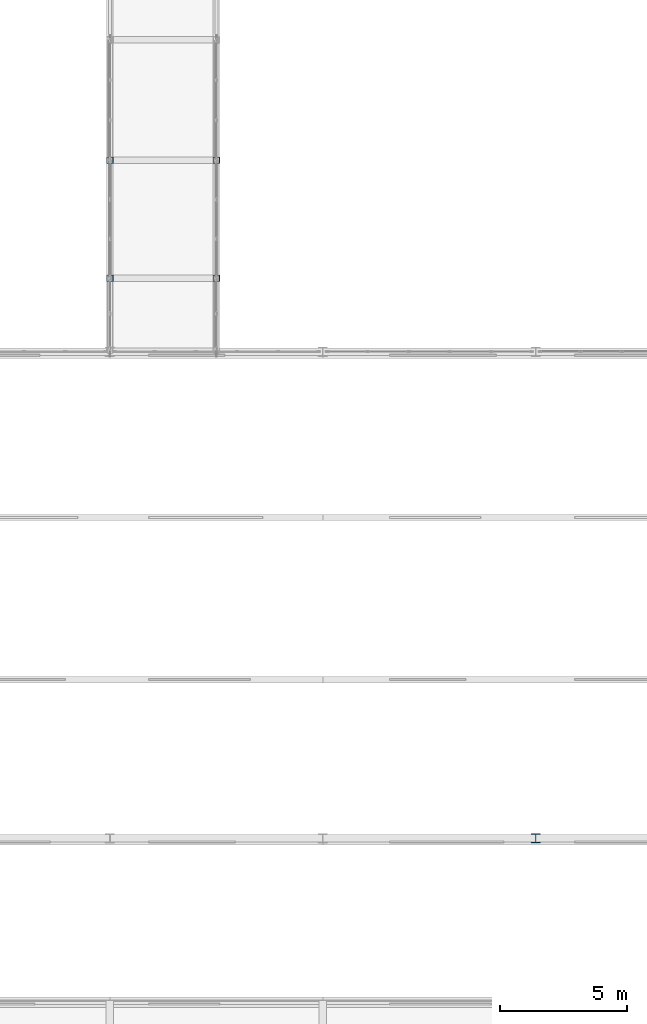
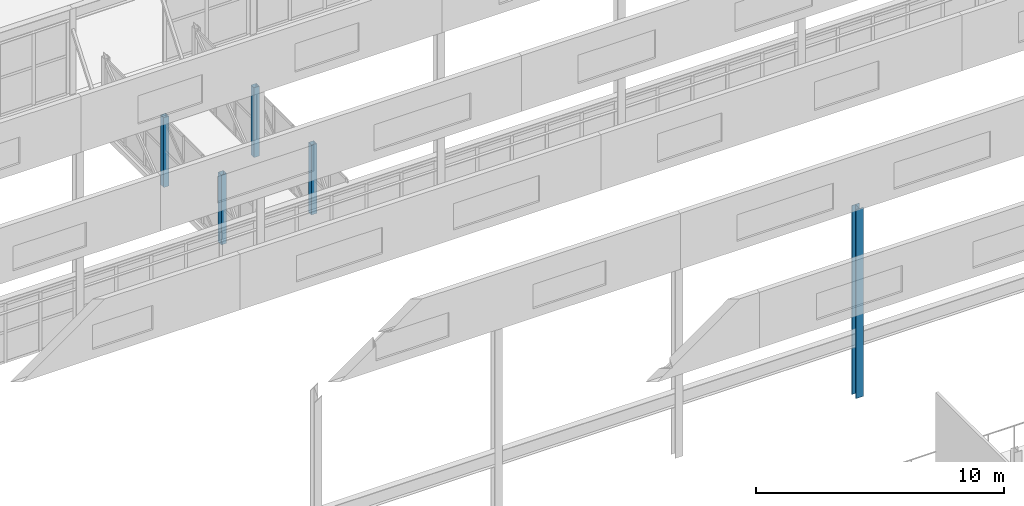
# One storey, part 9 of 218: 5 columns.
"""IFC4 building model written with IfcOpenShell, lengths in metres."""

from ifc_helpers import new_model, si_unit, direction, frame, origin, origin_2d, place, context, subcontext, project, spatial, hollow_rectangle, i_section, extrude, material, material_profile, profile_set, type_object, element, save


model = new_model("IFC4")

# Units and contexts
model_context = context("Model", 3, precision=1e-05, world=origin(), true_north=direction((0.0, 1.0)))
body_context = subcontext(model_context, "Body", "Model", "MODEL_VIEW")
ifc_project = project(units=[si_unit("LENGTHUNIT", "METRE"), si_unit("AREAUNIT", "SQUARE_METRE"), si_unit("VOLUMEUNIT", "CUBIC_METRE"), si_unit("PLANEANGLEUNIT", "RADIAN"), si_unit("MASSUNIT", "GRAM", prefix="KILO")], contexts=[model_context])

# Site, building, storey
site_placement = place(None, origin())
site = spatial("IfcSite", under=ifc_project, at=site_placement, CompositionType="ELEMENT")
building_placement = place(site_placement, origin())
building = spatial("IfcBuilding", under=site, at=building_placement, Name="Kazenagashi Tramway Depot", CompositionType="ELEMENT")
storey_placement = place(building_placement, frame((0.0, 0.0, 6.0)))
storey = spatial("IfcBuildingStorey", under=building, at=storey_placement, Name="L02", CompositionType="ELEMENT", Elevation=6.0)

# Columns
ifc_material_1 = material(Name="Steel SN490B", Category="steel")
ifc_material_profile_1 = material_profile(ifc_material_1, i_section(OverallWidth=0.35, OverallDepth=0.35, WebThickness=0.012, FlangeThickness=0.019, at=origin_2d()), Name="H-350x350x12x19")
ifc_profile_set_1 = profile_set([ifc_material_profile_1], Name="Steel SN490B")
column_type_1 = type_object("IfcColumnType", Name="C-04", PredefinedType="COLUMN", material=ifc_profile_set_1)
column_placement = place(storey_placement, frame((103.6, 35.7, 0.0), z_axis=(0.0, 0.0, 1.0), x_axis=(1.0, 0.0, 0.0)))
element("IfcColumn", 1, at=column_placement, inside=storey, type_object=column_type_1, Name="Column C-04 COL-0274", PredefinedType="COLUMN", context=body_context, shape_type="SweptSolid", body=[
    extrude(i_section(OverallWidth=0.35, OverallDepth=0.35, WebThickness=0.012, FlangeThickness=0.019, at=origin_2d()), origin(), (0.0, 0.0, 1.0), 9.3),
])
ifc_material_2 = material(Name="Weathering Steel SMA490W", Category="steel")
ifc_material_profile_2 = material_profile(ifc_material_2, hollow_rectangle(XDim=0.25, YDim=0.25, WallThickness=0.009, at=origin_2d()), Name="SHS-250x250x9")
ifc_profile_set_2 = profile_set([ifc_material_profile_2], Name="Weathering Steel SMA490W")
column_type_2 = type_object("IfcColumnType", Name="C-10", PredefinedType="COLUMN", material=ifc_profile_set_2)
for number, where, z_axis, x_axis, name in (
    (2, (86.8, 57.8, 0.0), (0.0, 0.0, 1.0), (1.0, 0.0, 0.0), "Column C-10 COL-0864"),
    (3, (86.8, 62.45, 0.0), (0.0, 0.0, 1.0), (1.0, 0.0, 0.0), "Column C-10 COL-0866"),
    (4, (91.0, 57.8, 0.0), (0.0, 0.0, 1.0), (1.0, 0.0, 0.0), "Column C-10 COL-0870"),
    (5, (91.0, 62.45, 0.0), (0.0, 0.0, 1.0), (1.0, 0.0, 0.0), "Column C-10 COL-0872"),
):
    element("IfcColumn", number, at=place(storey_placement, frame(where, z_axis=z_axis, x_axis=x_axis)), inside=storey, type_object=column_type_2, Name=name, PredefinedType="COLUMN", context=body_context, shape_type="SweptSolid", body=[
        extrude(hollow_rectangle(XDim=0.25, YDim=0.25, WallThickness=0.009, at=origin_2d()), origin(), (0.0, 0.0, 1.0), 3.435),
    ])

save(model, "model.ifc")
